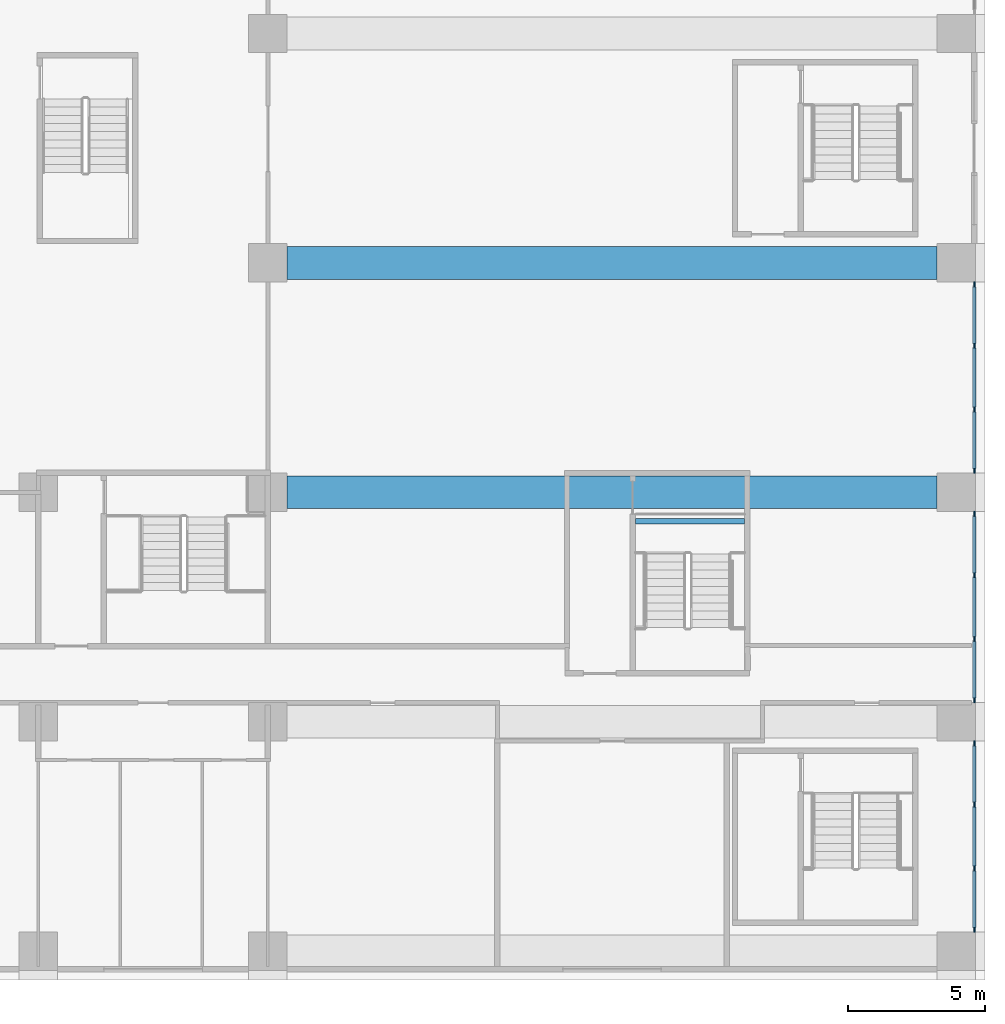
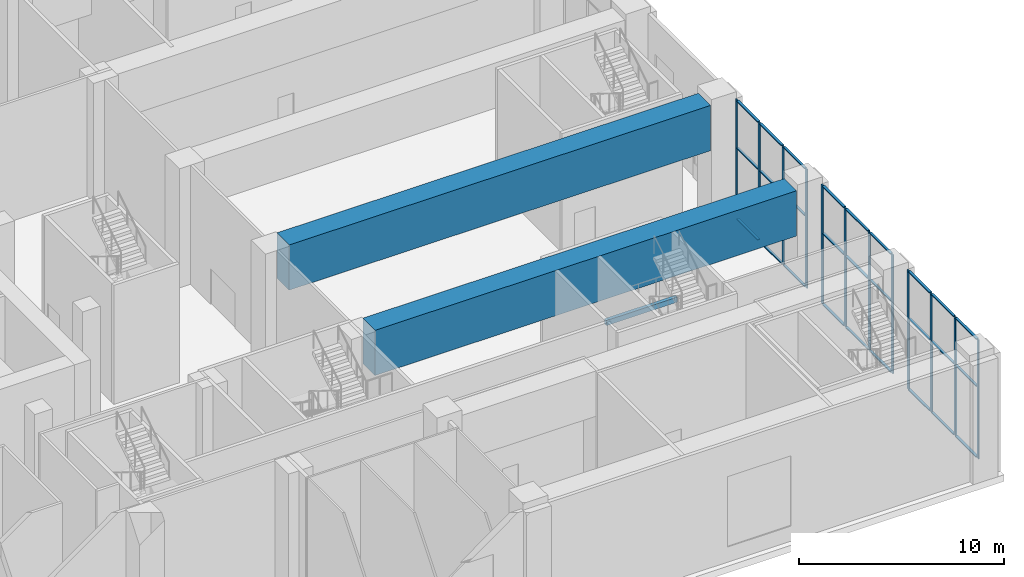
# One storey, part 2 of 29: 39 members, 3 beams, 3 elements without a shape of their own.
"""IFC4 building model written with IfcOpenShell, lengths in metres."""

from ifc_helpers import new_model, si_unit, direction, frame, origin, origin_2d, place, context, subcontext, project, spatial, rectangle, extrude, material, material_profile, profile_set, type_object, element, aggregate, save


model = new_model("IFC4")

# Units and contexts
model_context = context("Model", 3, precision=1e-05, world=origin(), true_north=direction((0.0, 1.0)))
body_context = subcontext(model_context, "Body", "Model", "MODEL_VIEW")
ifc_project = project(units=[si_unit("LENGTHUNIT", "METRE"), si_unit("AREAUNIT", "SQUARE_METRE"), si_unit("VOLUMEUNIT", "CUBIC_METRE"), si_unit("PLANEANGLEUNIT", "RADIAN"), si_unit("MASSUNIT", "GRAM", prefix="KILO")], contexts=[model_context])

# Site, building, storey
site_placement = place(None, origin())
site = spatial("IfcSite", under=ifc_project, at=site_placement, CompositionType="ELEMENT")
building_placement = place(site_placement, origin())
building = spatial("IfcBuilding", under=site, at=building_placement, Name="Vermilion Ogive Tower", CompositionType="ELEMENT")
storey_placement = place(building_placement, frame((0.0, 0.0, 12.5)))
storey = spatial("IfcBuildingStorey", under=building, at=storey_placement, Name="L02", CompositionType="ELEMENT", Elevation=12.5)

# Curtain wall, members
ifc_material_1 = material(Name="Clear double glazing in aluminium frame", Category="aluminium")
curtain_wall_type = type_object("IfcCurtainWallType", Name="Curtain wall CW5", PredefinedType="NOTDEFINED", material=ifc_material_1)
curtain_wall_1_placement = place(storey_placement, origin())
curtain_wall_1 = element("IfcCurtainWall", 1, at=curtain_wall_1_placement, inside=storey, type_object=curtain_wall_type, Name="CW5 ballroom glazing E1", PredefinedType="NOTDEFINED")
ifc_material_2 = material(Name="Aluminium mullion", Category="aluminium")
ifc_material_profile_1 = material_profile(ifc_material_2, rectangle(XDim=0.06005859375, YDim=0.179931640625, at=origin_2d()), Name="AL 60x180")
ifc_profile_set_1 = profile_set([ifc_material_profile_1], Name="Aluminium mullion")
member_type_1 = type_object("IfcMemberType", Name="CW5 mullion 60x180", PredefinedType="MULLION", material=ifc_profile_set_1)
member_1_placement = place(storey_placement, frame((51.06005859375, -28.610107421875, 0.0), z_axis=(0.0, 0.0, 1.0), x_axis=(-1.0, 0.0, 0.0)))
member_1 = element("IfcMember", 2, at=member_1_placement, type_object=member_type_1, Name="CW5-E1 mullion 1", PredefinedType="MULLION", context=body_context, shape_type="SweptSolid", body=[
    extrude(rectangle(XDim=0.06005859375, YDim=0.179931640625, at=origin_2d()), origin(), (0.0, 0.0, 1.0), 7.10009765625),
])
member_2_placement = place(storey_placement, frame((51.06005859375, -26.36669921875, 0.0), z_axis=(0.0, 0.0, 1.0), x_axis=(-1.0, 0.0, 0.0)))
member_2 = element("IfcMember", 3, at=member_2_placement, type_object=member_type_1, Name="CW5-E1 mullion 2", PredefinedType="MULLION", context=body_context, shape_type="SweptSolid", body=[
    extrude(rectangle(XDim=0.06005859375, YDim=0.179931640625, at=origin_2d()), origin(), (0.0, 0.0, 1.0), 7.10009765625),
])
member_3_placement = place(storey_placement, frame((51.06005859375, -24.033447265625, 0.0), z_axis=(0.0, 0.0, 1.0), x_axis=(-1.0, 0.0, 0.0)))
member_3 = element("IfcMember", 4, at=member_3_placement, type_object=member_type_1, Name="CW5-E1 mullion 3", PredefinedType="MULLION", context=body_context, shape_type="SweptSolid", body=[
    extrude(rectangle(XDim=0.06005859375, YDim=0.179931640625, at=origin_2d()), origin(), (0.0, 0.0, 1.0), 7.10009765625),
])
member_4_placement = place(storey_placement, frame((51.06005859375, -21.7900390625, 0.0), z_axis=(0.0, 0.0, 1.0), x_axis=(-1.0, 0.0, 0.0)))
member_4 = element("IfcMember", 5, at=member_4_placement, type_object=member_type_1, Name="CW5-E1 mullion 4", PredefinedType="MULLION", context=body_context, shape_type="SweptSolid", body=[
    extrude(rectangle(XDim=0.06005859375, YDim=0.179931640625, at=origin_2d()), origin(), (0.0, 0.0, 1.0), 7.10009765625),
])

curtain_wall_2_placement = place(storey_placement, origin())
curtain_wall_2 = element("IfcCurtainWall", 6, at=curtain_wall_2_placement, inside=storey, type_object=curtain_wall_type, Name="CW5 ballroom glazing E2", PredefinedType="NOTDEFINED")
member_5_placement = place(storey_placement, frame((51.06005859375, -20.2099609375, 0.0), z_axis=(0.0, 0.0, 1.0), x_axis=(-1.0, 0.0, 0.0)))
member_5 = element("IfcMember", 7, at=member_5_placement, type_object=member_type_1, Name="CW5-E2 mullion 1", PredefinedType="MULLION", context=body_context, shape_type="SweptSolid", body=[
    extrude(rectangle(XDim=0.06005859375, YDim=0.179931640625, at=origin_2d()), origin(), (0.0, 0.0, 1.0), 7.10009765625),
])
member_6_placement = place(storey_placement, frame((51.06005859375, -17.966552734375, 0.0), z_axis=(0.0, 0.0, 1.0), x_axis=(-1.0, 0.0, 0.0)))
member_6 = element("IfcMember", 8, at=member_6_placement, type_object=member_type_1, Name="CW5-E2 mullion 2", PredefinedType="MULLION", context=body_context, shape_type="SweptSolid", body=[
    extrude(rectangle(XDim=0.06005859375, YDim=0.179931640625, at=origin_2d()), origin(), (0.0, 0.0, 1.0), 7.10009765625),
])
member_7_placement = place(storey_placement, frame((51.06005859375, -15.63330078125, 0.0), z_axis=(0.0, 0.0, 1.0), x_axis=(-1.0, 0.0, 0.0)))
member_7 = element("IfcMember", 9, at=member_7_placement, type_object=member_type_1, Name="CW5-E2 mullion 3", PredefinedType="MULLION", context=body_context, shape_type="SweptSolid", body=[
    extrude(rectangle(XDim=0.06005859375, YDim=0.179931640625, at=origin_2d()), origin(), (0.0, 0.0, 1.0), 7.10009765625),
])
member_8_placement = place(storey_placement, frame((51.06005859375, -13.389892578125, 0.0), z_axis=(0.0, 0.0, 1.0), x_axis=(-1.0, 0.0, 0.0)))
member_8 = element("IfcMember", 10, at=member_8_placement, type_object=member_type_1, Name="CW5-E2 mullion 4", PredefinedType="MULLION", context=body_context, shape_type="SweptSolid", body=[
    extrude(rectangle(XDim=0.06005859375, YDim=0.179931640625, at=origin_2d()), origin(), (0.0, 0.0, 1.0), 7.10009765625),
])

curtain_wall_3_placement = place(storey_placement, origin())
curtain_wall_3 = element("IfcCurtainWall", 11, at=curtain_wall_3_placement, inside=storey, type_object=curtain_wall_type, Name="CW5 ballroom glazing E3", PredefinedType="NOTDEFINED")
member_9_placement = place(storey_placement, frame((51.06005859375, -11.81005859375, 0.0), z_axis=(0.0, 0.0, 1.0), x_axis=(-1.0, 0.0, 0.0)))
member_9 = element("IfcMember", 12, at=member_9_placement, type_object=member_type_1, Name="CW5-E3 mullion 1", PredefinedType="MULLION", context=body_context, shape_type="SweptSolid", body=[
    extrude(rectangle(XDim=0.06005859375, YDim=0.179931640625, at=origin_2d()), origin(), (0.0, 0.0, 1.0), 7.10009765625),
])
member_10_placement = place(storey_placement, frame((51.06005859375, -9.566650390625, 0.0), z_axis=(0.0, 0.0, 1.0), x_axis=(-1.0, 0.0, 0.0)))
member_10 = element("IfcMember", 13, at=member_10_placement, type_object=member_type_1, Name="CW5-E3 mullion 2", PredefinedType="MULLION", context=body_context, shape_type="SweptSolid", body=[
    extrude(rectangle(XDim=0.06005859375, YDim=0.179931640625, at=origin_2d()), origin(), (0.0, 0.0, 1.0), 7.10009765625),
])
member_11_placement = place(storey_placement, frame((51.06005859375, -7.2333984375, 0.0), z_axis=(0.0, 0.0, 1.0), x_axis=(-1.0, 0.0, 0.0)))
member_11 = element("IfcMember", 14, at=member_11_placement, type_object=member_type_1, Name="CW5-E3 mullion 3", PredefinedType="MULLION", context=body_context, shape_type="SweptSolid", body=[
    extrude(rectangle(XDim=0.06005859375, YDim=0.179931640625, at=origin_2d()), origin(), (0.0, 0.0, 1.0), 7.10009765625),
])
member_12_placement = place(storey_placement, frame((51.06005859375, -4.989990234375, 0.0), z_axis=(0.0, 0.0, 1.0), x_axis=(-1.0, 0.0, 0.0)))
member_12 = element("IfcMember", 15, at=member_12_placement, type_object=member_type_1, Name="CW5-E3 mullion 4", PredefinedType="MULLION", context=body_context, shape_type="SweptSolid", body=[
    extrude(rectangle(XDim=0.06005859375, YDim=0.179931640625, at=origin_2d()), origin(), (0.0, 0.0, 1.0), 7.10009765625),
])

# Member
ifc_material_3 = material(Name="Aluminium transom", Category="aluminium")
ifc_material_profile_2 = material_profile(ifc_material_3, rectangle(XDim=0.139892578125, YDim=0.06005859375, at=origin_2d()), Name="AL 60x140")
ifc_profile_set_2 = profile_set([ifc_material_profile_2], Name="Aluminium transom")
member_type_2 = type_object("IfcMemberType", Name="CW5 transom 60x140", PredefinedType="USERDEFINED", material=ifc_profile_set_2)
member_13_placement = place(storey_placement, frame((51.06005859375, -28.52001953125, 0.030029296875), z_axis=(0.0, 1.0, 0.0), x_axis=(-1.0, 0.0, 0.0)))
member_13 = element("IfcMember", 16, at=member_13_placement, type_object=member_type_2, Name="CW5-E1 transom 1.1", ObjectType="TRANSOM", PredefinedType="USERDEFINED", context=body_context, shape_type="SweptSolid", body=[
    extrude(rectangle(XDim=0.139892578125, YDim=0.06005859375, at=origin_2d()), origin(), (0.0, 0.0, 1.0), 2.063232421875),
])

member_14_placement = place(storey_placement, frame((51.06005859375, -28.52001953125, 4.260009765625), z_axis=(0.0, 1.0, 0.0), x_axis=(-1.0, 0.0, 0.0)))
member_14 = element("IfcMember", 17, at=member_14_placement, type_object=member_type_2, Name="CW5-E1 transom 1.2", ObjectType="TRANSOM", PredefinedType="USERDEFINED", context=body_context, shape_type="SweptSolid", body=[
    extrude(rectangle(XDim=0.139892578125, YDim=0.06005859375, at=origin_2d()), origin(), (0.0, 0.0, 1.0), 2.063232421875),
])

member_15_placement = place(storey_placement, frame((51.06005859375, -28.52001953125, 7.070068359375), z_axis=(0.0, 1.0, 0.0), x_axis=(-1.0, 0.0, 0.0)))
member_15 = element("IfcMember", 18, at=member_15_placement, type_object=member_type_2, Name="CW5-E1 transom 1.3", ObjectType="TRANSOM", PredefinedType="USERDEFINED", context=body_context, shape_type="SweptSolid", body=[
    extrude(rectangle(XDim=0.139892578125, YDim=0.06005859375, at=origin_2d()), origin(), (0.0, 0.0, 1.0), 2.063232421875),
])

member_16_placement = place(storey_placement, frame((51.06005859375, -26.276611328125, 0.030029296875), z_axis=(0.0, 1.0, 0.0), x_axis=(-1.0, 0.0, 0.0)))
member_16 = element("IfcMember", 19, at=member_16_placement, type_object=member_type_2, Name="CW5-E1 transom 2.1", ObjectType="TRANSOM", PredefinedType="USERDEFINED", context=body_context, shape_type="SweptSolid", body=[
    extrude(rectangle(XDim=0.139892578125, YDim=0.06005859375, at=origin_2d()), origin(), (0.0, 0.0, 1.0), 2.1533203125),
])

member_17_placement = place(storey_placement, frame((51.06005859375, -26.276611328125, 4.260009765625), z_axis=(0.0, 1.0, 0.0), x_axis=(-1.0, 0.0, 0.0)))
member_17 = element("IfcMember", 20, at=member_17_placement, type_object=member_type_2, Name="CW5-E1 transom 2.2", ObjectType="TRANSOM", PredefinedType="USERDEFINED", context=body_context, shape_type="SweptSolid", body=[
    extrude(rectangle(XDim=0.139892578125, YDim=0.06005859375, at=origin_2d()), origin(), (0.0, 0.0, 1.0), 2.1533203125),
])

member_18_placement = place(storey_placement, frame((51.06005859375, -26.276611328125, 7.070068359375), z_axis=(0.0, 1.0, 0.0), x_axis=(-1.0, 0.0, 0.0)))
member_18 = element("IfcMember", 21, at=member_18_placement, type_object=member_type_2, Name="CW5-E1 transom 2.3", ObjectType="TRANSOM", PredefinedType="USERDEFINED", context=body_context, shape_type="SweptSolid", body=[
    extrude(rectangle(XDim=0.139892578125, YDim=0.06005859375, at=origin_2d()), origin(), (0.0, 0.0, 1.0), 2.1533203125),
])

member_19_placement = place(storey_placement, frame((51.06005859375, -23.943359375, 0.030029296875), z_axis=(0.0, 1.0, 0.0), x_axis=(-1.0, 0.0, 0.0)))
member_19 = element("IfcMember", 22, at=member_19_placement, type_object=member_type_2, Name="CW5-E1 transom 3.1", ObjectType="TRANSOM", PredefinedType="USERDEFINED", context=body_context, shape_type="SweptSolid", body=[
    extrude(rectangle(XDim=0.139892578125, YDim=0.06005859375, at=origin_2d()), origin(), (0.0, 0.0, 1.0), 2.0634765625),
])

member_20_placement = place(storey_placement, frame((51.06005859375, -23.943359375, 4.260009765625), z_axis=(0.0, 1.0, 0.0), x_axis=(-1.0, 0.0, 0.0)))
member_20 = element("IfcMember", 23, at=member_20_placement, type_object=member_type_2, Name="CW5-E1 transom 3.2", ObjectType="TRANSOM", PredefinedType="USERDEFINED", context=body_context, shape_type="SweptSolid", body=[
    extrude(rectangle(XDim=0.139892578125, YDim=0.06005859375, at=origin_2d()), origin(), (0.0, 0.0, 1.0), 2.0634765625),
])

member_21_placement = place(storey_placement, frame((51.06005859375, -23.943359375, 7.070068359375), z_axis=(0.0, 1.0, 0.0), x_axis=(-1.0, 0.0, 0.0)))
member_21 = element("IfcMember", 24, at=member_21_placement, type_object=member_type_2, Name="CW5-E1 transom 3.3", ObjectType="TRANSOM", PredefinedType="USERDEFINED", context=body_context, shape_type="SweptSolid", body=[
    extrude(rectangle(XDim=0.139892578125, YDim=0.06005859375, at=origin_2d()), origin(), (0.0, 0.0, 1.0), 2.0634765625),
])

aggregate(curtain_wall_1, [member_1, member_2, member_3, member_4, member_13, member_14, member_15, member_16, member_17, member_18, member_19, member_20, member_21])

member_22_placement = place(storey_placement, frame((51.06005859375, -20.1201171875, 0.030029296875), z_axis=(0.0, 1.0, 0.0), x_axis=(-1.0, 0.0, 0.0)))
member_22 = element("IfcMember", 25, at=member_22_placement, type_object=member_type_2, Name="CW5-E2 transom 1.1", ObjectType="TRANSOM", PredefinedType="USERDEFINED", context=body_context, shape_type="SweptSolid", body=[
    extrude(rectangle(XDim=0.139892578125, YDim=0.06005859375, at=origin_2d()), origin(), (0.0, 0.0, 1.0), 2.0634765625),
])

member_23_placement = place(storey_placement, frame((51.06005859375, -20.1201171875, 4.260009765625), z_axis=(0.0, 1.0, 0.0), x_axis=(-1.0, 0.0, 0.0)))
member_23 = element("IfcMember", 26, at=member_23_placement, type_object=member_type_2, Name="CW5-E2 transom 1.2", ObjectType="TRANSOM", PredefinedType="USERDEFINED", context=body_context, shape_type="SweptSolid", body=[
    extrude(rectangle(XDim=0.139892578125, YDim=0.06005859375, at=origin_2d()), origin(), (0.0, 0.0, 1.0), 2.0634765625),
])

member_24_placement = place(storey_placement, frame((51.06005859375, -20.1201171875, 7.070068359375), z_axis=(0.0, 1.0, 0.0), x_axis=(-1.0, 0.0, 0.0)))
member_24 = element("IfcMember", 27, at=member_24_placement, type_object=member_type_2, Name="CW5-E2 transom 1.3", ObjectType="TRANSOM", PredefinedType="USERDEFINED", context=body_context, shape_type="SweptSolid", body=[
    extrude(rectangle(XDim=0.139892578125, YDim=0.06005859375, at=origin_2d()), origin(), (0.0, 0.0, 1.0), 2.0634765625),
])

member_25_placement = place(storey_placement, frame((51.06005859375, -17.876708984375, 0.030029296875), z_axis=(0.0, 1.0, 0.0), x_axis=(-1.0, 0.0, 0.0)))
member_25 = element("IfcMember", 28, at=member_25_placement, type_object=member_type_2, Name="CW5-E2 transom 2.1", ObjectType="TRANSOM", PredefinedType="USERDEFINED", context=body_context, shape_type="SweptSolid", body=[
    extrude(rectangle(XDim=0.139892578125, YDim=0.06005859375, at=origin_2d()), origin(), (0.0, 0.0, 1.0), 2.1533203125),
])

member_26_placement = place(storey_placement, frame((51.06005859375, -17.876708984375, 4.260009765625), z_axis=(0.0, 1.0, 0.0), x_axis=(-1.0, 0.0, 0.0)))
member_26 = element("IfcMember", 29, at=member_26_placement, type_object=member_type_2, Name="CW5-E2 transom 2.2", ObjectType="TRANSOM", PredefinedType="USERDEFINED", context=body_context, shape_type="SweptSolid", body=[
    extrude(rectangle(XDim=0.139892578125, YDim=0.06005859375, at=origin_2d()), origin(), (0.0, 0.0, 1.0), 2.1533203125),
])

member_27_placement = place(storey_placement, frame((51.06005859375, -17.876708984375, 7.070068359375), z_axis=(0.0, 1.0, 0.0), x_axis=(-1.0, 0.0, 0.0)))
member_27 = element("IfcMember", 30, at=member_27_placement, type_object=member_type_2, Name="CW5-E2 transom 2.3", ObjectType="TRANSOM", PredefinedType="USERDEFINED", context=body_context, shape_type="SweptSolid", body=[
    extrude(rectangle(XDim=0.139892578125, YDim=0.06005859375, at=origin_2d()), origin(), (0.0, 0.0, 1.0), 2.1533203125),
])

member_28_placement = place(storey_placement, frame((51.06005859375, -15.543212890625, 0.030029296875), z_axis=(0.0, 1.0, 0.0), x_axis=(-1.0, 0.0, 0.0)))
member_28 = element("IfcMember", 31, at=member_28_placement, type_object=member_type_2, Name="CW5-E2 transom 3.1", ObjectType="TRANSOM", PredefinedType="USERDEFINED", context=body_context, shape_type="SweptSolid", body=[
    extrude(rectangle(XDim=0.139892578125, YDim=0.06005859375, at=origin_2d()), origin(), (0.0, 0.0, 1.0), 2.063232421875),
])

member_29_placement = place(storey_placement, frame((51.06005859375, -15.543212890625, 4.260009765625), z_axis=(0.0, 1.0, 0.0), x_axis=(-1.0, 0.0, 0.0)))
member_29 = element("IfcMember", 32, at=member_29_placement, type_object=member_type_2, Name="CW5-E2 transom 3.2", ObjectType="TRANSOM", PredefinedType="USERDEFINED", context=body_context, shape_type="SweptSolid", body=[
    extrude(rectangle(XDim=0.139892578125, YDim=0.06005859375, at=origin_2d()), origin(), (0.0, 0.0, 1.0), 2.063232421875),
])

member_30_placement = place(storey_placement, frame((51.06005859375, -15.543212890625, 7.070068359375), z_axis=(0.0, 1.0, 0.0), x_axis=(-1.0, 0.0, 0.0)))
member_30 = element("IfcMember", 33, at=member_30_placement, type_object=member_type_2, Name="CW5-E2 transom 3.3", ObjectType="TRANSOM", PredefinedType="USERDEFINED", context=body_context, shape_type="SweptSolid", body=[
    extrude(rectangle(XDim=0.139892578125, YDim=0.06005859375, at=origin_2d()), origin(), (0.0, 0.0, 1.0), 2.063232421875),
])

aggregate(curtain_wall_2, [member_5, member_6, member_7, member_8, member_22, member_23, member_24, member_25, member_26, member_27, member_28, member_29, member_30])

member_31_placement = place(storey_placement, frame((51.06005859375, -11.719970703125, 0.030029296875), z_axis=(0.0, 1.0, 0.0), x_axis=(-1.0, 0.0, 0.0)))
member_31 = element("IfcMember", 34, at=member_31_placement, type_object=member_type_2, Name="CW5-E3 transom 1.1", ObjectType="TRANSOM", PredefinedType="USERDEFINED", context=body_context, shape_type="SweptSolid", body=[
    extrude(rectangle(XDim=0.139892578125, YDim=0.06005859375, at=origin_2d()), origin(), (0.0, 0.0, 1.0), 2.063232421875),
])

member_32_placement = place(storey_placement, frame((51.06005859375, -11.719970703125, 4.260009765625), z_axis=(0.0, 1.0, 0.0), x_axis=(-1.0, 0.0, 0.0)))
member_32 = element("IfcMember", 35, at=member_32_placement, type_object=member_type_2, Name="CW5-E3 transom 1.2", ObjectType="TRANSOM", PredefinedType="USERDEFINED", context=body_context, shape_type="SweptSolid", body=[
    extrude(rectangle(XDim=0.139892578125, YDim=0.06005859375, at=origin_2d()), origin(), (0.0, 0.0, 1.0), 2.063232421875),
])

member_33_placement = place(storey_placement, frame((51.06005859375, -11.719970703125, 7.070068359375), z_axis=(0.0, 1.0, 0.0), x_axis=(-1.0, 0.0, 0.0)))
member_33 = element("IfcMember", 36, at=member_33_placement, type_object=member_type_2, Name="CW5-E3 transom 1.3", ObjectType="TRANSOM", PredefinedType="USERDEFINED", context=body_context, shape_type="SweptSolid", body=[
    extrude(rectangle(XDim=0.139892578125, YDim=0.06005859375, at=origin_2d()), origin(), (0.0, 0.0, 1.0), 2.063232421875),
])

member_34_placement = place(storey_placement, frame((51.06005859375, -9.4765625, 0.030029296875), z_axis=(0.0, 1.0, 0.0), x_axis=(-1.0, 0.0, 0.0)))
member_34 = element("IfcMember", 37, at=member_34_placement, type_object=member_type_2, Name="CW5-E3 transom 2.1", ObjectType="TRANSOM", PredefinedType="USERDEFINED", context=body_context, shape_type="SweptSolid", body=[
    extrude(rectangle(XDim=0.139892578125, YDim=0.06005859375, at=origin_2d()), origin(), (0.0, 0.0, 1.0), 2.1533203125),
])

member_35_placement = place(storey_placement, frame((51.06005859375, -9.4765625, 4.260009765625), z_axis=(0.0, 1.0, 0.0), x_axis=(-1.0, 0.0, 0.0)))
member_35 = element("IfcMember", 38, at=member_35_placement, type_object=member_type_2, Name="CW5-E3 transom 2.2", ObjectType="TRANSOM", PredefinedType="USERDEFINED", context=body_context, shape_type="SweptSolid", body=[
    extrude(rectangle(XDim=0.139892578125, YDim=0.06005859375, at=origin_2d()), origin(), (0.0, 0.0, 1.0), 2.1533203125),
])

member_36_placement = place(storey_placement, frame((51.06005859375, -9.4765625, 7.070068359375), z_axis=(0.0, 1.0, 0.0), x_axis=(-1.0, 0.0, 0.0)))
member_36 = element("IfcMember", 39, at=member_36_placement, type_object=member_type_2, Name="CW5-E3 transom 2.3", ObjectType="TRANSOM", PredefinedType="USERDEFINED", context=body_context, shape_type="SweptSolid", body=[
    extrude(rectangle(XDim=0.139892578125, YDim=0.06005859375, at=origin_2d()), origin(), (0.0, 0.0, 1.0), 2.1533203125),
])

member_37_placement = place(storey_placement, frame((51.06005859375, -7.143310546875, 0.030029296875), z_axis=(0.0, 1.0, 0.0), x_axis=(-1.0, 0.0, 0.0)))
member_37 = element("IfcMember", 40, at=member_37_placement, type_object=member_type_2, Name="CW5-E3 transom 3.1", ObjectType="TRANSOM", PredefinedType="USERDEFINED", context=body_context, shape_type="SweptSolid", body=[
    extrude(rectangle(XDim=0.139892578125, YDim=0.06005859375, at=origin_2d()), origin(), (0.0, 0.0, 1.0), 2.063232421875),
])

member_38_placement = place(storey_placement, frame((51.06005859375, -7.143310546875, 4.260009765625), z_axis=(0.0, 1.0, 0.0), x_axis=(-1.0, 0.0, 0.0)))
member_38 = element("IfcMember", 41, at=member_38_placement, type_object=member_type_2, Name="CW5-E3 transom 3.2", ObjectType="TRANSOM", PredefinedType="USERDEFINED", context=body_context, shape_type="SweptSolid", body=[
    extrude(rectangle(XDim=0.139892578125, YDim=0.06005859375, at=origin_2d()), origin(), (0.0, 0.0, 1.0), 2.063232421875),
])

member_39_placement = place(storey_placement, frame((51.06005859375, -7.143310546875, 7.070068359375), z_axis=(0.0, 1.0, 0.0), x_axis=(-1.0, 0.0, 0.0)))
member_39 = element("IfcMember", 42, at=member_39_placement, type_object=member_type_2, Name="CW5-E3 transom 3.3", ObjectType="TRANSOM", PredefinedType="USERDEFINED", context=body_context, shape_type="SweptSolid", body=[
    extrude(rectangle(XDim=0.139892578125, YDim=0.06005859375, at=origin_2d()), origin(), (0.0, 0.0, 1.0), 2.063232421875),
])

aggregate(curtain_wall_3, [member_9, member_10, member_11, member_12, member_31, member_32, member_33, member_34, member_35, member_36, member_37, member_38, member_39])

# Beams
ifc_material_4 = material(Name="Concrete B45", Category="concrete")
ifc_material_profile_3 = material_profile(ifc_material_4, rectangle(XDim=0.199951171875, YDim=0.300048828125, at=origin_2d()), Name="RC 200x300")
ifc_profile_set_3 = profile_set([ifc_material_profile_3], Name="Concrete B45")
beam_type_1 = type_object("IfcBeamType", Name="Stair landing edge beam LB1 200x300", PredefinedType="BEAM", material=ifc_profile_set_3)
beam_placement = place(storey_placement, frame((38.650146484375, -13.64990234375, 3.39990234375), z_axis=(1.0, 0.0, 0.0), x_axis=(0.0, 1.0, 0.0)))
element("IfcBeam", 43, at=beam_placement, inside=storey, type_object=beam_type_1, Name="L02 stair landing edge beam", PredefinedType="BEAM", context=body_context, shape_type="SweptSolid", body=[
    extrude(rectangle(XDim=0.199951171875, YDim=0.300048828125, at=origin_2d()), origin(), (0.0, 0.0, 1.0), 3.999755859375),
])
ifc_material_5 = material(Name="Concrete B60", Category="concrete")
ifc_material_profile_4 = material_profile(ifc_material_5, rectangle(XDim=1.199951171875, YDim=2.699951171875, at=origin_2d()), Name="RC 1200x2700")
ifc_profile_set_4 = profile_set([ifc_material_profile_4], Name="Concrete B60")
beam_type_2 = type_object("IfcBeamType", Name="Transfer girder TG1 1200x2700", PredefinedType="BEAM", material=ifc_profile_set_4)
for number, where, z_axis, x_axis, name in (
    (44, (25.89990234375, -12.60009765625, 5.75), (1.0, 0.0, 0.0), (0.0, 1.0, 0.0), "Transfer girder 03"),
    (45, (25.89990234375, -4.199951171875, 5.75), (1.0, 0.0, 0.0), (0.0, 1.0, 0.0), "Transfer girder 04"),
):
    element("IfcBeam", number, at=place(storey_placement, frame(where, z_axis=z_axis, x_axis=x_axis)), inside=storey, type_object=beam_type_2, Name=name, PredefinedType="BEAM", context=body_context, shape_type="SweptSolid", body=[
        extrude(rectangle(XDim=1.199951171875, YDim=2.699951171875, at=origin_2d()), origin(), (0.0, 0.0, 1.0), 23.800048828125),
    ])

save(model, "model.ifc")
